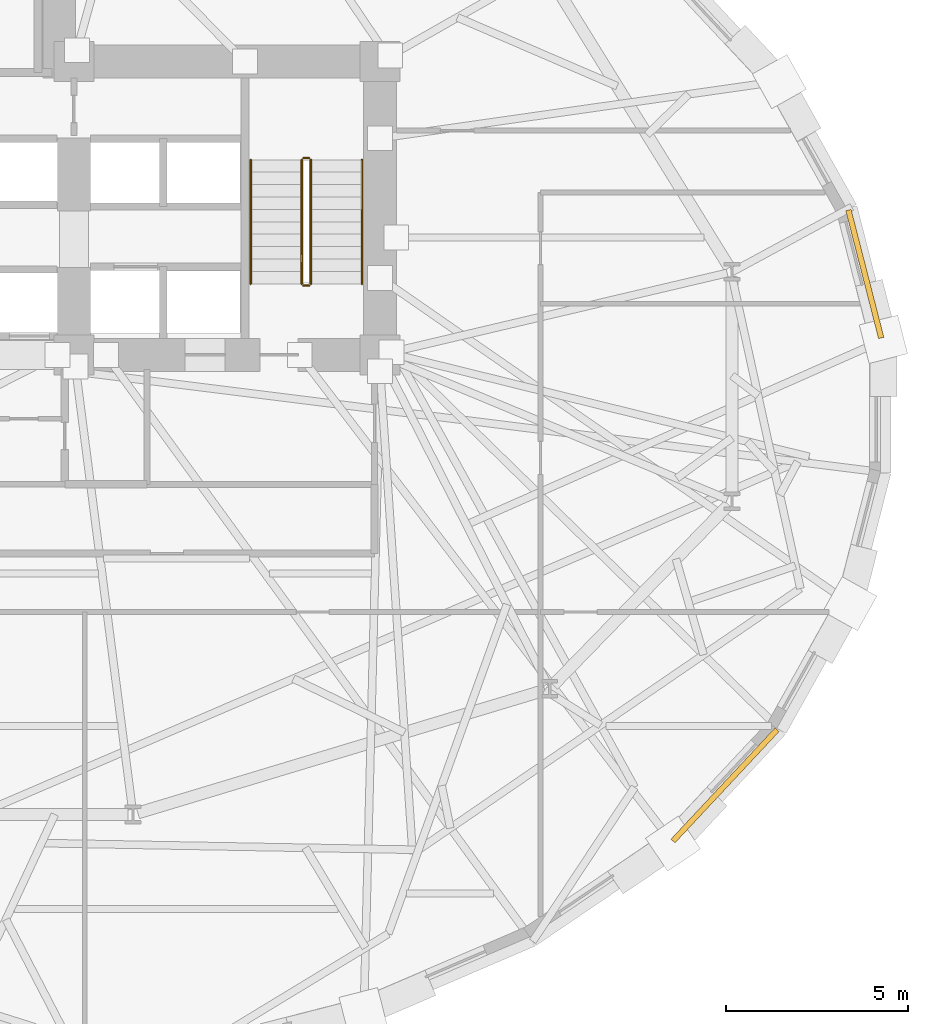
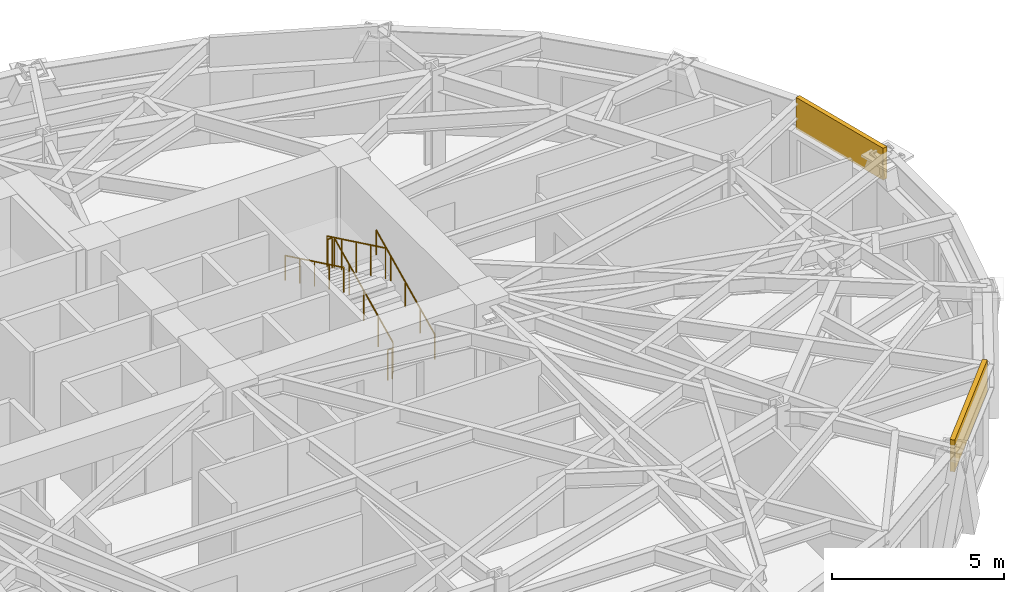
# One storey, part 12 of 13: 6 railings, 2 coverings.
"""IFC4 building model written with IfcOpenShell, lengths in metres."""

from ifc_helpers import new_model, si_unit, direction, frame, origin, origin_2d, place, context, subcontext, project, spatial, rectangle, circle, extrude, material, layer, layer_set, type_object, element, save


model = new_model("IFC4")

# Units and contexts
model_context = context("Model", 3, precision=1e-05, world=origin(), true_north=direction((0.0, 1.0)))
body_context = subcontext(model_context, "Body", "Model", "MODEL_VIEW")
ifc_project = project(units=[si_unit("LENGTHUNIT", "METRE"), si_unit("AREAUNIT", "SQUARE_METRE"), si_unit("VOLUMEUNIT", "CUBIC_METRE"), si_unit("PLANEANGLEUNIT", "RADIAN"), si_unit("MASSUNIT", "GRAM", prefix="KILO")], contexts=[model_context])

# Site, building, storey
site_placement = place(None, origin())
site = spatial("IfcSite", under=ifc_project, at=site_placement, CompositionType="ELEMENT")
building_placement = place(site_placement, origin())
building = spatial("IfcBuilding", under=site, at=building_placement, Name="Keldmark Tower", CompositionType="ELEMENT")
storey_placement = place(building_placement, frame((0.0, 0.0, 45.0)))
storey = spatial("IfcBuildingStorey", under=building, at=storey_placement, Name="L11", CompositionType="ELEMENT", Elevation=45.0)

# Coverings
ifc_material_1 = material(Name="Honed Kasota Buff Dolomitic Limestone", Category="masonry")
ifc_layer = layer(ifc_material_1, 0.074951171875)
ifc_layer_set = layer_set([ifc_layer], Name="Honed Kasota Buff Dolomitic Limestone")
covering_type = type_object("IfcCoveringType", Name="Kasota Buff Limestone Spandrel Cladding Band", PredefinedType="CLADDING", material=ifc_layer_set)
covering_1_placement = place(storey_placement, frame((26.8955078125, 3.61669921875, 2.453125), z_axis=(0.0, 0.0, 1.0), x_axis=(-0.248098167018, 0.96873489641, 0.0)))
element("IfcCovering", 1, at=covering_1_placement, inside=storey, type_object=covering_type, Name="L11 Kasota Limestone Spandrel Band 01", PredefinedType="CLADDING", context=body_context, shape_type="SweptSolid", body=[
    extrude(rectangle(XDim=3.618896484375, YDim=0.14990234375, at=origin_2d()), origin(), (0.0, 0.0, 1.0), 1.126953125),
])
covering_2_placement = place(storey_placement, frame((23.060302734375, -10.407470703125, 2.453125), z_axis=(0.0, 0.0, 1.0), x_axis=(0.683006109341, 0.730412660489, 0.0)))
element("IfcCovering", 2, at=covering_2_placement, inside=storey, type_object=covering_type, Name="L11 Kasota Limestone Spandrel Band 29", PredefinedType="CLADDING", context=body_context, shape_type="SweptSolid", body=[
    extrude(rectangle(XDim=4.177978515625, YDim=0.14990234375, at=origin_2d()), origin(), (0.0, 0.0, 1.0), 1.126953125),
])

# Railings
ifc_material_2 = material(Name="Painted Steel ASTM A500 Grade B", Category="steel")
railing_type_1 = type_object("IfcRailingType", Name="Painted Steel Stair Well Guard 1100 mm", PredefinedType="GUARDRAIL", material=ifc_material_2)
railing_1_placement = place(storey_placement, frame((11.699951171875, 3.35009765625, 0.16357421875)))
element("IfcRailing", 3, at=railing_1_placement, inside=storey, type_object=railing_type_1, Name="L11 ST2 stair guard 1", PredefinedType="GUARDRAIL", context=body_context, shape_type="SweptSolid", body=[
    extrude(circle(Radius=0.02392578125, at=origin_2d()), frame((0.0, 0.0, 1.076171875), z_axis=(0.0, 0.901055053782, 0.433704726806), x_axis=(-1.0, 0.0, 0.0)), (0.0, 0.0, 1.0), 3.773193359375),
    extrude(circle(Radius=0.02099609375, at=origin_2d()), origin(), (0.0, 0.0, 1.0), 1.052001953125),
    extrude(circle(Radius=0.02099609375, at=origin_2d()), frame((0.0, 0.85009765625, 0.4091796875)), (0.0, 0.0, 1.0), 1.052001953125),
    extrude(circle(Radius=0.02099609375, at=origin_2d()), frame((0.0, 1.699951171875, 0.818359375)), (0.0, 0.0, 1.0), 1.052001953125),
    extrude(circle(Radius=0.02099609375, at=origin_2d()), frame((0.0, 2.5498046875, 1.227294921875)), (0.0, 0.0, 1.0), 1.052001953125),
    extrude(circle(Radius=0.02099609375, at=origin_2d()), frame((0.0, 3.39990234375, 1.636474609375)), (0.0, 0.0, 1.0), 1.052001953125),
])
railing_2_placement = place(storey_placement, frame((11.64990234375, 6.800048828125, 1.800048828125)))
element("IfcRailing", 4, at=railing_2_placement, inside=storey, type_object=railing_type_1, Name="L11 ST2 stair guard 2", PredefinedType="GUARDRAIL", context=body_context, shape_type="SweptSolid", body=[
    extrude(circle(Radius=0.02392578125, at=origin_2d()), frame((0.0, 0.0, 1.076171875), z_axis=(-1.0, 0.0, 0.0), x_axis=(0.0, -1.0, 0.0)), (0.0, 0.0, 1.0), 0.14990234375),
    extrude(circle(Radius=0.02099609375, at=origin_2d()), origin(), (0.0, 0.0, 1.0), 1.052001953125),
    extrude(circle(Radius=0.02099609375, at=origin_2d()), frame((-0.14990234375, 0.0, 0.0)), (0.0, 0.0, 1.0), 1.052001953125),
])
railing_3_placement = place(storey_placement, frame((11.449951171875, 6.75, 1.963623046875)))
element("IfcRailing", 5, at=railing_3_placement, inside=storey, type_object=railing_type_1, Name="L11 ST2 stair guard 3", PredefinedType="GUARDRAIL", context=body_context, shape_type="SweptSolid", body=[
    extrude(circle(Radius=0.02392578125, at=origin_2d()), frame((0.0, 0.0, 1.076171875), z_axis=(0.0, -0.901055053782, 0.433704726806), x_axis=(1.0, 0.0, 0.0)), (0.0, 0.0, 1.0), 3.773193359375),
    extrude(circle(Radius=0.02099609375, at=origin_2d()), origin(), (0.0, 0.0, 1.0), 1.052001953125),
    extrude(circle(Radius=0.02099609375, at=origin_2d()), frame((0.0, -0.85009765625, 0.4091796875)), (0.0, 0.0, 1.0), 1.052001953125),
    extrude(circle(Radius=0.02099609375, at=origin_2d()), frame((0.0, -1.699951171875, 0.818359375)), (0.0, 0.0, 1.0), 1.052001953125),
    extrude(circle(Radius=0.02099609375, at=origin_2d()), frame((0.0, -2.5498046875, 1.227294921875)), (0.0, 0.0, 1.0), 1.052001953125),
    extrude(circle(Radius=0.02099609375, at=origin_2d()), frame((0.0, -3.39990234375, 1.636474609375)), (0.0, 0.0, 1.0), 1.052001953125),
])
railing_4_placement = place(storey_placement, frame((11.64990234375, 3.300048828125, 0.0)))
element("IfcRailing", 6, at=railing_4_placement, inside=storey, type_object=railing_type_1, Name="L11 ST2 stair guard 4", PredefinedType="GUARDRAIL", context=body_context, shape_type="SweptSolid", body=[
    extrude(circle(Radius=0.02392578125, at=origin_2d()), frame((0.0, 0.0, 1.076171875), z_axis=(-1.0, 0.0, 0.0), x_axis=(0.0, -1.0, 0.0)), (0.0, 0.0, 1.0), 0.14990234375),
    extrude(circle(Radius=0.02099609375, at=origin_2d()), origin(), (0.0, 0.0, 1.0), 1.052001953125),
    extrude(circle(Radius=0.02099609375, at=origin_2d()), frame((-0.14990234375, 0.0, 0.0)), (0.0, 0.0, 1.0), 1.052001953125),
])
ifc_material_3 = material(Name="Stainless Steel AISI 316L", Category="steel")
railing_type_2 = type_object("IfcRailingType", Name="Stainless Steel Stair Handrail 900 mm", PredefinedType="HANDRAIL", material=ifc_material_3)
railing_5_placement = place(storey_placement, frame((13.10009765625, 3.35009765625, 0.16357421875)))
element("IfcRailing", 7, at=railing_5_placement, inside=storey, type_object=railing_type_2, Name="L11 ST2 stair handrail 1", PredefinedType="HANDRAIL", context=body_context, shape_type="SweptSolid", body=[
    extrude(circle(Radius=0.02392578125, at=origin_2d()), frame((0.0, 0.0, 0.8759765625), z_axis=(0.0, 0.901055053782, 0.433704726806), x_axis=(-1.0, 0.0, 0.0)), (0.0, 0.0, 1.0), 3.773193359375),
    extrude(circle(Radius=0.02099609375, at=origin_2d()), origin(), (0.0, 0.0, 1.0), 0.851806640625),
    extrude(circle(Radius=0.02099609375, at=origin_2d()), frame((0.0, 0.85009765625, 0.4091796875)), (0.0, 0.0, 1.0), 0.851806640625),
    extrude(circle(Radius=0.02099609375, at=origin_2d()), frame((0.0, 1.699951171875, 0.818359375)), (0.0, 0.0, 1.0), 0.851806640625),
    extrude(circle(Radius=0.02099609375, at=origin_2d()), frame((0.0, 2.5498046875, 1.227294921875)), (0.0, 0.0, 1.0), 0.851806640625),
    extrude(circle(Radius=0.02099609375, at=origin_2d()), frame((0.0, 3.39990234375, 1.636474609375)), (0.0, 0.0, 1.0), 0.851806640625),
])
railing_6_placement = place(storey_placement, frame((10.050048828125, 6.75, 1.963623046875)))
element("IfcRailing", 8, at=railing_6_placement, inside=storey, type_object=railing_type_2, Name="L11 ST2 stair handrail 2", PredefinedType="HANDRAIL", context=body_context, shape_type="SweptSolid", body=[
    extrude(circle(Radius=0.02392578125, at=origin_2d()), frame((0.0, 0.0, 0.8759765625), z_axis=(0.0, -0.901055053782, 0.433704726806), x_axis=(1.0, 0.0, 0.0)), (0.0, 0.0, 1.0), 3.773193359375),
    extrude(circle(Radius=0.02099609375, at=origin_2d()), origin(), (0.0, 0.0, 1.0), 0.851806640625),
    extrude(circle(Radius=0.02099609375, at=origin_2d()), frame((0.0, -0.85009765625, 0.4091796875)), (0.0, 0.0, 1.0), 0.851806640625),
    extrude(circle(Radius=0.02099609375, at=origin_2d()), frame((0.0, -1.699951171875, 0.818359375)), (0.0, 0.0, 1.0), 0.851806640625),
    extrude(circle(Radius=0.02099609375, at=origin_2d()), frame((0.0, -2.5498046875, 1.227294921875)), (0.0, 0.0, 1.0), 0.851806640625),
    extrude(circle(Radius=0.02099609375, at=origin_2d()), frame((0.0, -3.39990234375, 1.636474609375)), (0.0, 0.0, 1.0), 0.851806640625),
])

save(model, "model.ifc")
